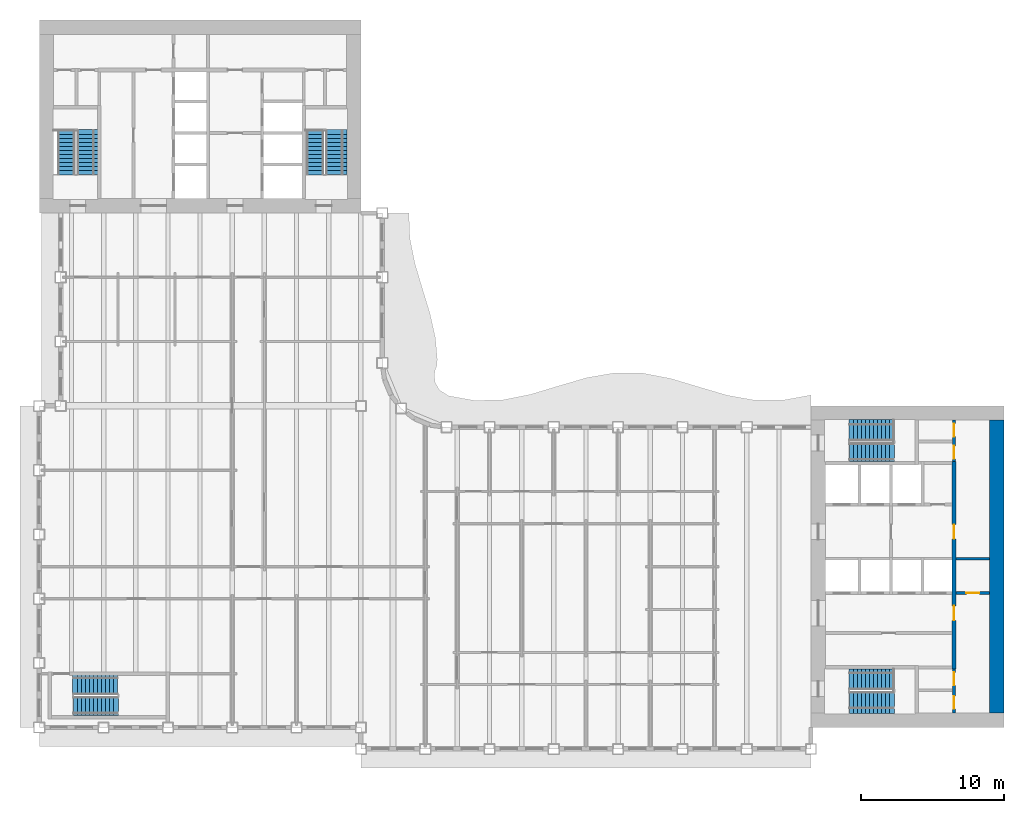
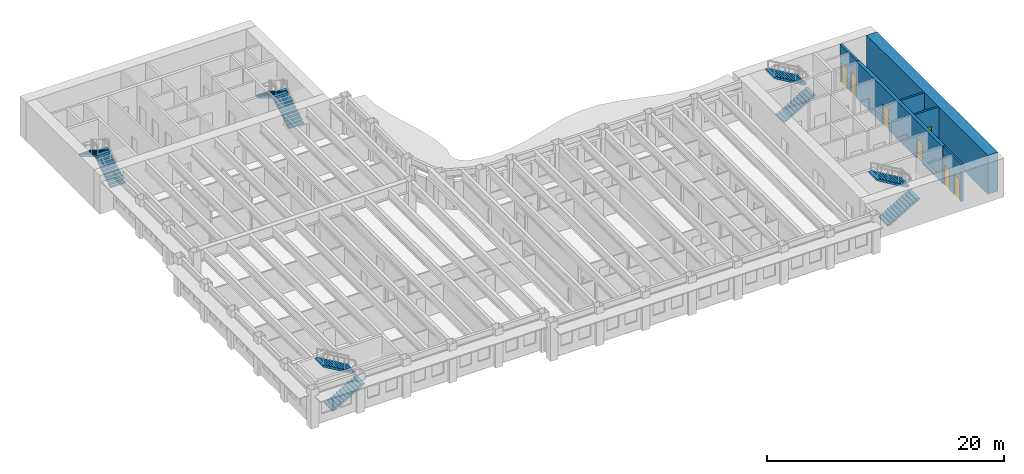
# One storey, part 10 of 16: 10 stair flights, 7 doors, 6 walls, 7 openings, 5 elements without a shape of their own.
"""IFC4 building model written with IfcOpenShell, lengths in metres."""

from ifc_helpers import new_model, si_unit, direction, frame, frame_2d, origin, place, context, subcontext, project, spatial, polyline, rectangle, outline, extrude, material, layer, layer_set, type_object, element, fill, aggregate, save


model = new_model("IFC4")

# Units and contexts
model_context = context("Model", 3, precision=1e-05, world=origin(), true_north=direction((0.0, 1.0)))
body_context = subcontext(model_context, "Body", "Model", "MODEL_VIEW")
ifc_project = project(units=[si_unit("LENGTHUNIT", "METRE"), si_unit("AREAUNIT", "SQUARE_METRE"), si_unit("VOLUMEUNIT", "CUBIC_METRE"), si_unit("PLANEANGLEUNIT", "RADIAN"), si_unit("MASSUNIT", "GRAM", prefix="KILO")], contexts=[model_context])

# Site, building, storey
site_placement = place(None, origin())
site = spatial("IfcSite", under=ifc_project, at=site_placement, CompositionType="ELEMENT")
building_placement = place(site_placement, origin())
building = spatial("IfcBuilding", under=site, at=building_placement, Name="Sennacour Bend Tower", CompositionType="ELEMENT")
storey_placement = place(building_placement, frame((0.0, 0.0, 231.0)))
storey = spatial("IfcBuildingStorey", under=building, at=storey_placement, Name="L53", CompositionType="ELEMENT", Elevation=231.0)

# Wall
ifc_material_1 = material(Name="Concrete C60/75", Category="concrete")
ifc_layer_1 = layer(ifc_material_1, 1.0, Name="Concrete C60/75", Category="concrete")
ifc_layer_set_1 = layer_set([ifc_layer_1], Name="Concrete C60/75")
wall_type_1 = type_object("IfcWallType", Name="Core wall 1000 C60/75", PredefinedType="SHEAR", material=ifc_layer_set_1)
wall_1_placement = place(storey_placement, frame((67.0, 1.0, -0.14990234375), z_axis=(0.0, 0.0, 1.0), x_axis=(0.0, 1.0, 0.0)))
element("IfcWall", 1, at=wall_1_placement, inside=storey, type_object=wall_type_1, Name="Core A wall L53 E", PredefinedType="SHEAR", context=body_context, shape_type="SweptSolid", body=[
    extrude(rectangle(XDim=20.5, YDim=1.0, at=frame_2d((10.25, 0.0))), origin(), (0.0, 0.0, 1.0), 4.0),
])

# Wall, openings, doors
ifc_material_2 = material(Name="Fire-rated plasterboard partition on steel studs", Category="steel")
ifc_layer_2 = layer(ifc_material_2, 0.199951171875, Name="Fire-rated plasterboard partition on steel studs", Category="steel")
ifc_layer_set_2 = layer_set([ifc_layer_2], Name="Fire-rated plasterboard partition on steel studs")
wall_type_2 = type_object("IfcWallType", Name="Rated partition 200", PredefinedType="PARTITIONING", material=ifc_layer_set_2)
wall_2_placement = place(storey_placement, frame((64.0, 1.0, 0.0), z_axis=(0.0, 0.0, 1.0), x_axis=(0.0, 1.0, 0.0)))
wall_2 = element("IfcWall", 2, at=wall_2_placement, inside=storey, type_object=wall_type_2, Name="P-L53-W047", PredefinedType="PARTITIONING", context=body_context, shape_type="SweptSolid", body=[
    extrude(rectangle(XDim=3.10009765625, YDim=0.199951171875, at=frame_2d((1.550048828125, 0.0))), origin(), (0.0, 0.0, 1.0), 3.85009765625),
])
opening_1_placement = place(wall_2_placement, frame((0.300048828125, 0.0, 0.0)))
opening_1 = element("IfcOpeningElement", 3, at=opening_1_placement, cuts=wall_2, Name="Opening SV", PredefinedType="OPENING", context=body_context, shape_type="SweptSolid", body=[
    extrude(rectangle(XDim=0.89990234375, YDim=2.10009765625, at=frame_2d((0.449951171875, 1.050048828125))), frame((0.0, 0.10986328125, 0.0), z_axis=(0.0, -1.0, 0.0), x_axis=(1.0, 0.0, 0.0)), (0.0, 0.0, 1.0), 0.219970703125),
])
opening_2_placement = place(wall_2_placement, frame((1.949951171875, 0.0, 0.0)))
opening_2 = element("IfcOpeningElement", 4, at=opening_2_placement, cuts=wall_2, Name="Opening WD", PredefinedType="OPENING", context=body_context, shape_type="SweptSolid", body=[
    extrude(rectangle(XDim=0.89990234375, YDim=2.10009765625, at=frame_2d((0.449951171875, 1.050048828125))), frame((0.0, 0.10986328125, 0.0), z_axis=(0.0, -1.0, 0.0), x_axis=(1.0, 0.0, 0.0)), (0.0, 0.0, 1.0), 0.219970703125),
])
ifc_material_3 = material(Name="Painted steel", Category="steel")
door_type_1 = type_object("IfcDoorType", Name="DR-SERVICE-900", OperationType="NOTDEFINED", PredefinedType="DOOR", material=ifc_material_3)
door_1_placement = place(opening_1_placement, origin())
door_1 = element("IfcDoor", 5, at=door_1_placement, inside=storey, type_object=door_type_1, Name="Door", OperationType="SINGLE_SWING_LEFT", OverallHeight=2.10009765625, OverallWidth=0.89990234375, PredefinedType="DOOR", context=body_context, shape_type="SweptSolid", body=[
    extrude(rectangle(XDim=0.89990234375, YDim=2.10009765625, at=frame_2d((0.449951171875, 1.050048828125))), frame((0.0, 0.02490234375, 0.0), z_axis=(0.0, -1.0, 0.0), x_axis=(1.0, 0.0, 0.0)), (0.0, 0.0, 1.0), 0.050048828125),
])
fill(opening_1, door_1)
ifc_material_4 = material(Name="Timber", Category="wood")
door_type_2 = type_object("IfcDoorType", Name="DR-WC-900", OperationType="NOTDEFINED", PredefinedType="DOOR", material=ifc_material_4)
door_2_placement = place(opening_2_placement, origin())
door_2 = element("IfcDoor", 6, at=door_2_placement, inside=storey, type_object=door_type_2, Name="Door", OperationType="SINGLE_SWING_RIGHT", OverallHeight=2.10009765625, OverallWidth=0.89990234375, PredefinedType="DOOR", context=body_context, shape_type="SweptSolid", body=[
    extrude(rectangle(XDim=0.89990234375, YDim=2.10009765625, at=frame_2d((0.449951171875, 1.050048828125))), frame((0.0, 0.02490234375, 0.0), z_axis=(0.0, -1.0, 0.0), x_axis=(1.0, 0.0, 0.0)), (0.0, 0.0, 1.0), 0.050048828125),
])
fill(opening_2, door_2)

wall_3_placement = place(storey_placement, frame((64.0, 18.60009765625, 0.0), z_axis=(0.0, 0.0, 1.0), x_axis=(0.0, 1.0, 0.0)))
wall_3 = element("IfcWall", 7, at=wall_3_placement, inside=storey, type_object=wall_type_2, Name="P-L53-W049", PredefinedType="PARTITIONING", context=body_context, shape_type="SweptSolid", body=[
    extrude(rectangle(XDim=2.89990234375, YDim=0.199951171875, at=frame_2d((1.449951171875, 0.0))), origin(), (0.0, 0.0, 1.0), 3.85009765625),
])
opening_3_placement = place(wall_3_placement, frame((0.199951171875, 0.0, 0.0)))
opening_3 = element("IfcOpeningElement", 8, at=opening_3_placement, cuts=wall_3, Name="Opening SV", PredefinedType="OPENING", context=body_context, shape_type="SweptSolid", body=[
    extrude(rectangle(XDim=0.89990234375, YDim=2.10009765625, at=frame_2d((0.449951171875, 1.050048828125))), frame((0.0, 0.10986328125, 0.0), z_axis=(0.0, -1.0, 0.0), x_axis=(1.0, 0.0, 0.0)), (0.0, 0.0, 1.0), 0.219970703125),
])
opening_4_placement = place(wall_3_placement, frame((1.75, 0.0, 0.0)))
opening_4 = element("IfcOpeningElement", 9, at=opening_4_placement, cuts=wall_3, Name="Opening SV", PredefinedType="OPENING", context=body_context, shape_type="SweptSolid", body=[
    extrude(rectangle(XDim=0.89990234375, YDim=2.10009765625, at=frame_2d((0.449951171875, 1.050048828125))), frame((0.0, 0.10986328125, 0.0), z_axis=(0.0, -1.0, 0.0), x_axis=(1.0, 0.0, 0.0)), (0.0, 0.0, 1.0), 0.219970703125),
])
door_3_placement = place(opening_3_placement, origin())
door_3 = element("IfcDoor", 10, at=door_3_placement, inside=storey, type_object=door_type_1, Name="Door", OperationType="SINGLE_SWING_LEFT", OverallHeight=2.10009765625, OverallWidth=0.89990234375, PredefinedType="DOOR", context=body_context, shape_type="SweptSolid", body=[
    extrude(rectangle(XDim=0.89990234375, YDim=2.10009765625, at=frame_2d((0.449951171875, 1.050048828125))), frame((0.0, 0.02490234375, 0.0), z_axis=(0.0, -1.0, 0.0), x_axis=(1.0, 0.0, 0.0)), (0.0, 0.0, 1.0), 0.050048828125),
])
fill(opening_3, door_3)
door_4_placement = place(opening_4_placement, origin())
door_4 = element("IfcDoor", 11, at=door_4_placement, inside=storey, type_object=door_type_1, Name="Door", OperationType="SINGLE_SWING_RIGHT", OverallHeight=2.10009765625, OverallWidth=0.89990234375, PredefinedType="DOOR", context=body_context, shape_type="SweptSolid", body=[
    extrude(rectangle(XDim=0.89990234375, YDim=2.10009765625, at=frame_2d((0.449951171875, 1.050048828125))), frame((0.0, 0.02490234375, 0.0), z_axis=(0.0, -1.0, 0.0), x_axis=(1.0, 0.0, 0.0)), (0.0, 0.0, 1.0), 0.050048828125),
])
fill(opening_4, door_4)

# Wall, opening, door
wall_4_placement = place(storey_placement, frame((64.14990234375, 9.39990234375, 0.0), z_axis=(0.0, 0.0, 1.0), x_axis=(1.0, 0.0, 0.0)))
wall_4 = element("IfcWall", 12, at=wall_4_placement, inside=storey, type_object=wall_type_2, Name="P-L53-W064", PredefinedType="PARTITIONING", context=body_context, shape_type="SweptSolid", body=[
    extrude(rectangle(XDim=2.35009765625, YDim=0.199951171875, at=frame_2d((1.175048828125, 0.0))), origin(), (0.0, 0.0, 1.0), 3.85009765625),
])
opening_5_placement = place(wall_4_placement, frame((0.72509765625, 0.0, 0.0)))
opening_5 = element("IfcOpeningElement", 13, at=opening_5_placement, cuts=wall_4, Name="Opening SV", PredefinedType="OPENING", context=body_context, shape_type="SweptSolid", body=[
    extrude(rectangle(XDim=0.89990234375, YDim=2.10009765625, at=frame_2d((0.449951171875, 1.050048828125))), frame((0.0, 0.10986328125, 0.0), z_axis=(0.0, -1.0, 0.0), x_axis=(1.0, 0.0, 0.0)), (0.0, 0.0, 1.0), 0.219970703125),
])
door_5_placement = place(opening_5_placement, origin())
door_5 = element("IfcDoor", 14, at=door_5_placement, inside=storey, type_object=door_type_1, Name="Door", OperationType="SINGLE_SWING_LEFT", OverallHeight=2.10009765625, OverallWidth=0.89990234375, PredefinedType="DOOR", context=body_context, shape_type="SweptSolid", body=[
    extrude(rectangle(XDim=0.89990234375, YDim=2.10009765625, at=frame_2d((0.449951171875, 1.050048828125))), frame((0.0, 0.02490234375, 0.0), z_axis=(0.0, -1.0, 0.0), x_axis=(1.0, 0.0, 0.0)), (0.0, 0.0, 1.0), 0.050048828125),
])
fill(opening_5, door_5)

# Wall
wall_5_placement = place(storey_placement, frame((64.14990234375, 11.800048828125, 0.0), z_axis=(0.0, 0.0, 1.0), x_axis=(1.0, 0.0, 0.0)))
element("IfcWall", 15, at=wall_5_placement, inside=storey, type_object=wall_type_2, Name="P-L53-W068", PredefinedType="PARTITIONING", context=body_context, shape_type="SweptSolid", body=[
    extrude(rectangle(XDim=2.35009765625, YDim=0.199951171875, at=frame_2d((1.175048828125, 0.0))), origin(), (0.0, 0.0, 1.0), 3.85009765625),
])

# Wall, openings, doors
ifc_layer_3 = layer(ifc_material_1, 0.300048828125, Name="Concrete C60/75", Category="concrete")
ifc_layer_set_3 = layer_set([ifc_layer_3], Name="Concrete C60/75")
wall_type_3 = type_object("IfcWallType", Name="Spine wall 300", PredefinedType="SHEAR", material=ifc_layer_set_3)
wall_6_placement = place(storey_placement, frame((64.0, 4.10009765625, 0.0), z_axis=(0.0, 0.0, 1.0), x_axis=(0.0, 1.0, 0.0)))
wall_6 = element("IfcWall", 16, at=wall_6_placement, inside=storey, type_object=wall_type_3, Name="P-L53-W048", PredefinedType="SHEAR", context=body_context, shape_type="SweptSolid", body=[
    extrude(rectangle(XDim=14.5, YDim=0.300048828125, at=frame_2d((7.25, 0.0))), origin(), (0.0, 0.0, 1.0), 3.85009765625),
])
opening_6_placement = place(wall_6_placement, frame((3.39990234375, 0.0, 0.0)))
opening_6 = element("IfcOpeningElement", 17, at=opening_6_placement, cuts=wall_6, Name="Opening CD2", PredefinedType="OPENING", context=body_context, shape_type="SweptSolid", body=[
    extrude(rectangle(XDim=1.0, YDim=2.10009765625, at=frame_2d((0.5, 1.050048828125))), frame((0.0, 0.16015625, 0.0), z_axis=(0.0, -1.0, 0.0), x_axis=(1.0, 0.0, 0.0)), (0.0, 0.0, 1.0), 0.320068359375),
])
opening_7_placement = place(wall_6_placement, frame((9.099853515625, 0.0, 0.0)))
opening_7 = element("IfcOpeningElement", 18, at=opening_7_placement, cuts=wall_6, Name="Opening CD2", PredefinedType="OPENING", context=body_context, shape_type="SweptSolid", body=[
    extrude(rectangle(XDim=1.0, YDim=2.10009765625, at=frame_2d((0.5, 1.050048828125))), frame((0.0, 0.16015625, 0.0), z_axis=(0.0, -1.0, 0.0), x_axis=(1.0, 0.0, 0.0)), (0.0, 0.0, 1.0), 0.320068359375),
])
door_type_3 = type_object("IfcDoorType", Name="DR-LOBBY-1000", OperationType="NOTDEFINED", PredefinedType="DOOR", material=ifc_material_3)
door_6_placement = place(opening_6_placement, origin())
door_6 = element("IfcDoor", 19, at=door_6_placement, inside=storey, type_object=door_type_3, Name="Door", OperationType="SINGLE_SWING_LEFT", OverallHeight=2.10009765625, OverallWidth=1.0, PredefinedType="DOOR", context=body_context, shape_type="SweptSolid", body=[
    extrude(rectangle(XDim=1.0, YDim=2.10009765625, at=frame_2d((0.5, 1.050048828125))), frame((0.0, 0.02490234375, 0.0), z_axis=(0.0, -1.0, 0.0), x_axis=(1.0, 0.0, 0.0)), (0.0, 0.0, 1.0), 0.050048828125),
])
fill(opening_6, door_6)
door_7_placement = place(opening_7_placement, origin())
door_7 = element("IfcDoor", 20, at=door_7_placement, inside=storey, type_object=door_type_3, Name="Door", OperationType="SINGLE_SWING_RIGHT", OverallHeight=2.10009765625, OverallWidth=1.0, PredefinedType="DOOR", context=body_context, shape_type="SweptSolid", body=[
    extrude(rectangle(XDim=1.0, YDim=2.10009765625, at=frame_2d((0.5, 1.050048828125))), frame((0.0, 0.02490234375, 0.0), z_axis=(0.0, -1.0, 0.0), x_axis=(1.0, 0.0, 0.0)), (0.0, 0.0, 1.0), 0.050048828125),
])
fill(opening_7, door_7)

# Stair, stair flights
ifc_material_5 = material(Name="Concrete C40/50", Category="concrete")
stair_type = type_object("IfcStairType", Name="ST-DOGLEG", PredefinedType="HALF_TURN_STAIR", material=ifc_material_5)
stair_1_placement = place(storey_placement, origin())
stair_1 = element("IfcStair", 21, at=stair_1_placement, inside=storey, type_object=stair_type, Name="L53 Exit stair A1", PredefinedType="HALF_TURN_STAIR")
stair_flight_type = type_object("IfcStairFlightType", Name="SFL-RC", PredefinedType="STRAIGHT", material=ifc_material_5)
stair_flight_1_placement = place(storey_placement, frame((56.699951171875, 1.735107421875, 0.0), z_axis=(0.0, 0.0, 1.0), x_axis=(1.0, 0.0, 0.0)))
stair_flight_1 = element("IfcStairFlight", 22, at=stair_flight_1_placement, type_object=stair_flight_type, Name="SA1 flight 1", NumberOfRisers=12, NumberOfTreads=11, PredefinedType="STRAIGHT", RiserHeight=0.166666667, TreadLength=0.28, context=body_context, shape_type="SweptSolid", body=[
    extrude(outline(polyline([(0.0, 0.0), (0.0, 0.166748046875), (0.280029296875, 0.166748046875), (0.280029296875, 0.333251953125), (0.56005859375, 0.333251953125), (0.56005859375, 0.5), (0.840087890625, 0.5), (0.840087890625, 0.666748046875), (1.1201171875, 0.666748046875), (1.1201171875, 0.833251953125), (1.39990234375, 0.833251953125), (1.39990234375, 1.0), (1.679931640625, 1.0), (1.679931640625, 1.166748046875), (1.9599609375, 1.166748046875), (1.9599609375, 1.333251953125), (2.239990234375, 1.333251953125), (2.239990234375, 1.5), (2.52001953125, 1.5), (2.52001953125, 1.666748046875), (2.800048828125, 1.666748046875), (2.800048828125, 1.833251953125), (3.080078125, 1.833251953125), (3.139892578125, 1.833251953125), (3.139892578125, 1.658935546875), (3.080078125, 1.658935546875), (0.29296875, 0.0), (0.0, 0.0)])), frame((0.0, 0.76513671875, 0.0), z_axis=(0.0, -1.0, 0.0), x_axis=(1.0, 0.0, 0.0)), (0.0, 0.0, 1.0), 1.530029296875),
])
stair_flight_2_placement = place(storey_placement, frame((59.780029296875, 3.37744140625, 2.0), z_axis=(0.0, 0.0, 1.0), x_axis=(-1.0, 0.0, 0.0)))
stair_flight_2 = element("IfcStairFlight", 23, at=stair_flight_2_placement, type_object=stair_flight_type, Name="SA1 flight 2", NumberOfRisers=12, NumberOfTreads=11, PredefinedType="STRAIGHT", RiserHeight=0.166666667, TreadLength=0.28, context=body_context, shape_type="SweptSolid", body=[
    extrude(outline(polyline([(0.0, 0.0), (0.0, 0.166748046875), (0.280029296875, 0.166748046875), (0.280029296875, 0.333251953125), (0.56005859375, 0.333251953125), (0.56005859375, 0.5), (0.840087890625, 0.5), (0.840087890625, 0.666748046875), (1.1201171875, 0.666748046875), (1.1201171875, 0.833251953125), (1.39990234375, 0.833251953125), (1.39990234375, 1.0), (1.679931640625, 1.0), (1.679931640625, 1.166748046875), (1.9599609375, 1.166748046875), (1.9599609375, 1.333251953125), (2.239990234375, 1.333251953125), (2.239990234375, 1.5), (2.52001953125, 1.5), (2.52001953125, 1.666748046875), (2.800048828125, 1.666748046875), (2.800048828125, 1.833251953125), (3.080078125, 1.833251953125), (3.139892578125, 1.833251953125), (3.139892578125, 1.658935546875), (3.080078125, 1.658935546875), (0.29296875, 0.0), (0.0, 0.0)])), frame((0.0, 0.7275390625, 0.0), z_axis=(0.0, -1.0, 0.0), x_axis=(1.0, 0.0, 0.0)), (0.0, 0.0, 1.0), 1.455078125),
])
aggregate(stair_1, [stair_flight_1, stair_flight_2])

stair_2_placement = place(storey_placement, origin())
stair_2 = element("IfcStair", 24, at=stair_2_placement, inside=storey, type_object=stair_type, Name="L53 Exit stair A2", PredefinedType="HALF_TURN_STAIR")
stair_flight_3_placement = place(storey_placement, frame((56.699951171875, 19.24755859375, 0.0), z_axis=(0.0, 0.0, 1.0), x_axis=(1.0, 0.0, 0.0)))
stair_flight_3 = element("IfcStairFlight", 25, at=stair_flight_3_placement, type_object=stair_flight_type, Name="SA2 flight 1", NumberOfRisers=12, NumberOfTreads=11, PredefinedType="STRAIGHT", RiserHeight=0.166666667, TreadLength=0.28, context=body_context, shape_type="SweptSolid", body=[
    extrude(outline(polyline([(0.0, 0.0), (0.0, 0.166748046875), (0.280029296875, 0.166748046875), (0.280029296875, 0.333251953125), (0.56005859375, 0.333251953125), (0.56005859375, 0.5), (0.840087890625, 0.5), (0.840087890625, 0.666748046875), (1.1201171875, 0.666748046875), (1.1201171875, 0.833251953125), (1.39990234375, 0.833251953125), (1.39990234375, 1.0), (1.679931640625, 1.0), (1.679931640625, 1.166748046875), (1.9599609375, 1.166748046875), (1.9599609375, 1.333251953125), (2.239990234375, 1.333251953125), (2.239990234375, 1.5), (2.52001953125, 1.5), (2.52001953125, 1.666748046875), (2.800048828125, 1.666748046875), (2.800048828125, 1.833251953125), (3.080078125, 1.833251953125), (3.139892578125, 1.833251953125), (3.139892578125, 1.658935546875), (3.080078125, 1.658935546875), (0.29296875, 0.0), (0.0, 0.0)])), frame((0.0, 0.65234375, 0.0), z_axis=(0.0, -1.0, 0.0), x_axis=(1.0, 0.0, 0.0)), (0.0, 0.0, 1.0), 1.304931640625),
])
stair_flight_4_placement = place(storey_placement, frame((59.780029296875, 20.7900390625, 2.0), z_axis=(0.0, 0.0, 1.0), x_axis=(-1.0, 0.0, 0.0)))
stair_flight_4 = element("IfcStairFlight", 26, at=stair_flight_4_placement, type_object=stair_flight_type, Name="SA2 flight 2", NumberOfRisers=12, NumberOfTreads=11, PredefinedType="STRAIGHT", RiserHeight=0.166666667, TreadLength=0.28, context=body_context, shape_type="SweptSolid", body=[
    extrude(outline(polyline([(0.0, 0.0), (0.0, 0.166748046875), (0.280029296875, 0.166748046875), (0.280029296875, 0.333251953125), (0.56005859375, 0.333251953125), (0.56005859375, 0.5), (0.840087890625, 0.5), (0.840087890625, 0.666748046875), (1.1201171875, 0.666748046875), (1.1201171875, 0.833251953125), (1.39990234375, 0.833251953125), (1.39990234375, 1.0), (1.679931640625, 1.0), (1.679931640625, 1.166748046875), (1.9599609375, 1.166748046875), (1.9599609375, 1.333251953125), (2.239990234375, 1.333251953125), (2.239990234375, 1.5), (2.52001953125, 1.5), (2.52001953125, 1.666748046875), (2.800048828125, 1.666748046875), (2.800048828125, 1.833251953125), (3.080078125, 1.833251953125), (3.139892578125, 1.833251953125), (3.139892578125, 1.658935546875), (3.080078125, 1.658935546875), (0.29296875, 0.0), (0.0, 0.0)])), frame((0.0, 0.739990234375, 0.0), z_axis=(0.0, -1.0, 0.0), x_axis=(1.0, 0.0, 0.0)), (0.0, 0.0, 1.0), 1.47998046875),
])
aggregate(stair_2, [stair_flight_3, stair_flight_4])

stair_3_placement = place(storey_placement, origin())
stair_3 = element("IfcStair", 27, at=stair_3_placement, inside=storey, type_object=stair_type, Name="L53 Exit stair B1", PredefinedType="HALF_TURN_STAIR")
stair_flight_5_placement = place(storey_placement, frame((3.37744140625, 38.699951171875, 0.0), z_axis=(0.0, 0.0, 1.0), x_axis=(0.0, 1.0, 0.0)))
stair_flight_5 = element("IfcStairFlight", 28, at=stair_flight_5_placement, type_object=stair_flight_type, Name="SB1 flight 1", NumberOfRisers=12, NumberOfTreads=11, PredefinedType="STRAIGHT", RiserHeight=0.166666667, TreadLength=0.28, context=body_context, shape_type="SweptSolid", body=[
    extrude(outline(polyline([(0.0, 0.0), (0.0, 0.166748046875), (0.280029296875, 0.166748046875), (0.280029296875, 0.333251953125), (0.56005859375, 0.333251953125), (0.56005859375, 0.5), (0.840087890625, 0.5), (0.840087890625, 0.666748046875), (1.1201171875, 0.666748046875), (1.1201171875, 0.833251953125), (1.39990234375, 0.833251953125), (1.39990234375, 1.0), (1.679931640625, 1.0), (1.679931640625, 1.166748046875), (1.9599609375, 1.166748046875), (1.9599609375, 1.333251953125), (2.239990234375, 1.333251953125), (2.239990234375, 1.5), (2.52001953125, 1.5), (2.52001953125, 1.666748046875), (2.800048828125, 1.666748046875), (2.800048828125, 1.833251953125), (3.080078125, 1.833251953125), (3.139892578125, 1.833251953125), (3.139892578125, 1.658935546875), (3.080078125, 1.658935546875), (0.29296875, 0.0), (0.0, 0.0)])), frame((0.0, 0.7275390625, 0.0), z_axis=(0.0, -1.0, 0.0), x_axis=(1.0, 0.0, 0.0)), (0.0, 0.0, 1.0), 1.455078125),
])
stair_flight_6_placement = place(storey_placement, frame((1.89990234375, 41.780029296875, 2.0), z_axis=(0.0, 0.0, 1.0), x_axis=(0.0, -1.0, 0.0)))
stair_flight_6 = element("IfcStairFlight", 29, at=stair_flight_6_placement, type_object=stair_flight_type, Name="SB1 flight 2", NumberOfRisers=12, NumberOfTreads=11, PredefinedType="STRAIGHT", RiserHeight=0.166666667, TreadLength=0.28, context=body_context, shape_type="SweptSolid", body=[
    extrude(outline(polyline([(0.0, 0.0), (0.0, 0.166748046875), (0.280029296875, 0.166748046875), (0.280029296875, 0.333251953125), (0.56005859375, 0.333251953125), (0.56005859375, 0.5), (0.840087890625, 0.5), (0.840087890625, 0.666748046875), (1.1201171875, 0.666748046875), (1.1201171875, 0.833251953125), (1.39990234375, 0.833251953125), (1.39990234375, 1.0), (1.679931640625, 1.0), (1.679931640625, 1.166748046875), (1.9599609375, 1.166748046875), (1.9599609375, 1.333251953125), (2.239990234375, 1.333251953125), (2.239990234375, 1.5), (2.52001953125, 1.5), (2.52001953125, 1.666748046875), (2.800048828125, 1.666748046875), (2.800048828125, 1.833251953125), (3.080078125, 1.833251953125), (3.139892578125, 1.833251953125), (3.139892578125, 1.658935546875), (3.080078125, 1.658935546875), (0.29296875, 0.0), (0.0, 0.0)])), frame((0.0, 0.60009765625, 0.0), z_axis=(0.0, -1.0, 0.0), x_axis=(1.0, 0.0, 0.0)), (0.0, 0.0, 1.0), 1.199951171875),
])
aggregate(stair_3, [stair_flight_5, stair_flight_6])

stair_4_placement = place(storey_placement, origin())
stair_4 = element("IfcStair", 30, at=stair_4_placement, inside=storey, type_object=stair_type, Name="L53 Exit stair B2", PredefinedType="HALF_TURN_STAIR")
stair_flight_7_placement = place(storey_placement, frame((20.7900390625, 38.699951171875, 0.0), z_axis=(0.0, 0.0, 1.0), x_axis=(0.0, 1.0, 0.0)))
stair_flight_7 = element("IfcStairFlight", 31, at=stair_flight_7_placement, type_object=stair_flight_type, Name="SB2 flight 1", NumberOfRisers=12, NumberOfTreads=11, PredefinedType="STRAIGHT", RiserHeight=0.166666667, TreadLength=0.28, context=body_context, shape_type="SweptSolid", body=[
    extrude(outline(polyline([(0.0, 0.0), (0.0, 0.166748046875), (0.280029296875, 0.166748046875), (0.280029296875, 0.333251953125), (0.56005859375, 0.333251953125), (0.56005859375, 0.5), (0.840087890625, 0.5), (0.840087890625, 0.666748046875), (1.1201171875, 0.666748046875), (1.1201171875, 0.833251953125), (1.39990234375, 0.833251953125), (1.39990234375, 1.0), (1.679931640625, 1.0), (1.679931640625, 1.166748046875), (1.9599609375, 1.166748046875), (1.9599609375, 1.333251953125), (2.239990234375, 1.333251953125), (2.239990234375, 1.5), (2.52001953125, 1.5), (2.52001953125, 1.666748046875), (2.800048828125, 1.666748046875), (2.800048828125, 1.833251953125), (3.080078125, 1.833251953125), (3.139892578125, 1.833251953125), (3.139892578125, 1.658935546875), (3.080078125, 1.658935546875), (0.29296875, 0.0), (0.0, 0.0)])), frame((0.0, 0.739990234375, 0.0), z_axis=(0.0, -1.0, 0.0), x_axis=(1.0, 0.0, 0.0)), (0.0, 0.0, 1.0), 1.47998046875),
])
stair_flight_8_placement = place(storey_placement, frame((19.24755859375, 41.780029296875, 2.0), z_axis=(0.0, 0.0, 1.0), x_axis=(0.0, -1.0, 0.0)))
stair_flight_8 = element("IfcStairFlight", 32, at=stair_flight_8_placement, type_object=stair_flight_type, Name="SB2 flight 2", NumberOfRisers=12, NumberOfTreads=11, PredefinedType="STRAIGHT", RiserHeight=0.166666667, TreadLength=0.28, context=body_context, shape_type="SweptSolid", body=[
    extrude(outline(polyline([(0.0, 0.0), (0.0, 0.166748046875), (0.280029296875, 0.166748046875), (0.280029296875, 0.333251953125), (0.56005859375, 0.333251953125), (0.56005859375, 0.5), (0.840087890625, 0.5), (0.840087890625, 0.666748046875), (1.1201171875, 0.666748046875), (1.1201171875, 0.833251953125), (1.39990234375, 0.833251953125), (1.39990234375, 1.0), (1.679931640625, 1.0), (1.679931640625, 1.166748046875), (1.9599609375, 1.166748046875), (1.9599609375, 1.333251953125), (2.239990234375, 1.333251953125), (2.239990234375, 1.5), (2.52001953125, 1.5), (2.52001953125, 1.666748046875), (2.800048828125, 1.666748046875), (2.800048828125, 1.833251953125), (3.080078125, 1.833251953125), (3.139892578125, 1.833251953125), (3.139892578125, 1.658935546875), (3.080078125, 1.658935546875), (0.29296875, 0.0), (0.0, 0.0)])), frame((0.0, 0.65234375, 0.0), z_axis=(0.0, -1.0, 0.0), x_axis=(1.0, 0.0, 0.0)), (0.0, 0.0, 1.0), 1.304931640625),
])
aggregate(stair_4, [stair_flight_7, stair_flight_8])

stair_5_placement = place(storey_placement, origin())
stair_5 = element("IfcStair", 33, at=stair_5_placement, inside=storey, type_object=stair_type, Name="L53 Exit stair K1", PredefinedType="HALF_TURN_STAIR")
stair_flight_9_placement = place(storey_placement, frame((2.39990234375, 1.485107421875, 0.0), z_axis=(0.0, 0.0, 1.0), x_axis=(1.0, 0.0, 0.0)))
stair_flight_9 = element("IfcStairFlight", 34, at=stair_flight_9_placement, type_object=stair_flight_type, Name="SK1 flight 1", NumberOfRisers=12, NumberOfTreads=11, PredefinedType="STRAIGHT", RiserHeight=0.166666667, TreadLength=0.28, context=body_context, shape_type="SweptSolid", body=[
    extrude(outline(polyline([(0.0, 0.0), (0.0, 0.166748046875), (0.280029296875, 0.166748046875), (0.280029296875, 0.333251953125), (0.56005859375, 0.333251953125), (0.56005859375, 0.5), (0.840087890625, 0.5), (0.840087890625, 0.666748046875), (1.1201171875, 0.666748046875), (1.1201171875, 0.833251953125), (1.39990234375, 0.833251953125), (1.39990234375, 1.0), (1.679931640625, 1.0), (1.679931640625, 1.166748046875), (1.9599609375, 1.166748046875), (1.9599609375, 1.333251953125), (2.239990234375, 1.333251953125), (2.239990234375, 1.5), (2.52001953125, 1.5), (2.52001953125, 1.666748046875), (2.800048828125, 1.666748046875), (2.800048828125, 1.833251953125), (3.080078125, 1.833251953125), (3.139892578125, 1.833251953125), (3.139892578125, 1.658935546875), (3.080078125, 1.658935546875), (0.29296875, 0.0), (0.0, 0.0)])), frame((0.0, 0.6650390625, 0.0), z_axis=(0.0, -1.0, 0.0), x_axis=(1.0, 0.0, 0.0)), (0.0, 0.0, 1.0), 1.330078125),
])
stair_flight_10_placement = place(storey_placement, frame((5.47998046875, 2.9775390625, 2.0), z_axis=(0.0, 0.0, 1.0), x_axis=(-1.0, 0.0, 0.0)))
stair_flight_10 = element("IfcStairFlight", 35, at=stair_flight_10_placement, type_object=stair_flight_type, Name="SK1 flight 2", NumberOfRisers=12, NumberOfTreads=11, PredefinedType="STRAIGHT", RiserHeight=0.166666667, TreadLength=0.28, context=body_context, shape_type="SweptSolid", body=[
    extrude(outline(polyline([(0.0, 0.0), (0.0, 0.166748046875), (0.280029296875, 0.166748046875), (0.280029296875, 0.333251953125), (0.56005859375, 0.333251953125), (0.56005859375, 0.5), (0.840087890625, 0.5), (0.840087890625, 0.666748046875), (1.1201171875, 0.666748046875), (1.1201171875, 0.833251953125), (1.39990234375, 0.833251953125), (1.39990234375, 1.0), (1.679931640625, 1.0), (1.679931640625, 1.166748046875), (1.9599609375, 1.166748046875), (1.9599609375, 1.333251953125), (2.239990234375, 1.333251953125), (2.239990234375, 1.5), (2.52001953125, 1.5), (2.52001953125, 1.666748046875), (2.800048828125, 1.666748046875), (2.800048828125, 1.833251953125), (3.080078125, 1.833251953125), (3.139892578125, 1.833251953125), (3.139892578125, 1.658935546875), (3.080078125, 1.658935546875), (0.29296875, 0.0), (0.0, 0.0)])), frame((0.0, 0.677490234375, 0.0), z_axis=(0.0, -1.0, 0.0), x_axis=(1.0, 0.0, 0.0)), (0.0, 0.0, 1.0), 1.35498046875),
])
aggregate(stair_5, [stair_flight_9, stair_flight_10])

save(model, "model.ifc")
